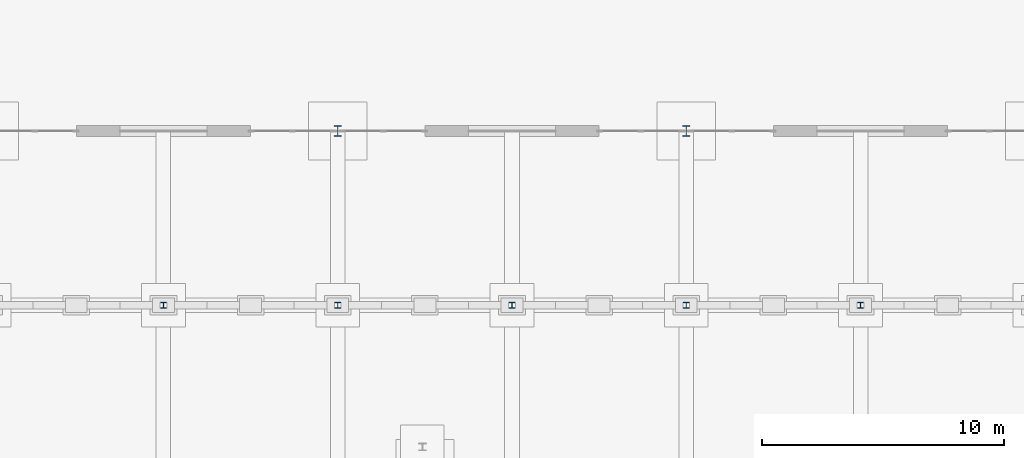
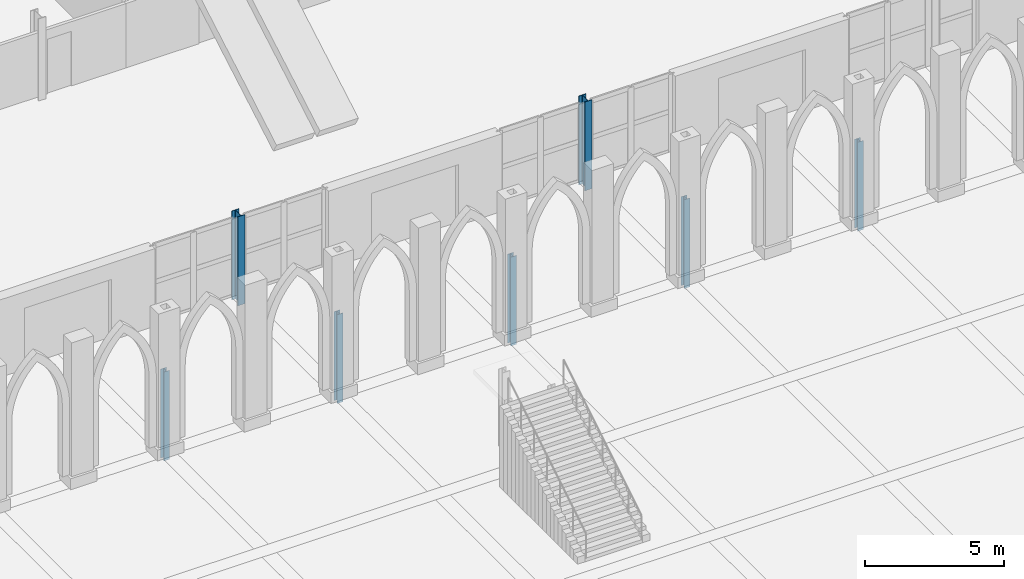
# One storey, part 39 of 148: 7 columns.
"""IFC4 building model written with IfcOpenShell, lengths in metres."""

from ifc_helpers import new_model, si_unit, direction, frame, origin, origin_2d, place, context, subcontext, project, spatial, i_section, extrude, material, material_profile, profile_set, type_object, element, save


model = new_model("IFC4")

# Units and contexts
model_context = context("Model", 3, precision=1e-05, world=origin(), true_north=direction((0.0, 1.0)))
body_context = subcontext(model_context, "Body", "Model", "MODEL_VIEW")
ifc_project = project(units=[si_unit("LENGTHUNIT", "METRE"), si_unit("AREAUNIT", "SQUARE_METRE"), si_unit("VOLUMEUNIT", "CUBIC_METRE"), si_unit("PLANEANGLEUNIT", "RADIAN"), si_unit("MASSUNIT", "GRAM", prefix="KILO")], contexts=[model_context])

# Site, building, storey
site_placement = place(None, origin())
site = spatial("IfcSite", under=ifc_project, at=site_placement, CompositionType="ELEMENT")
building_placement = place(site_placement, origin())
building = spatial("IfcBuilding", under=site, at=building_placement, Name="Kupolbacken Congress Centre", CompositionType="ELEMENT")
storey_placement = place(building_placement, origin())
storey = spatial("IfcBuildingStorey", under=building, at=storey_placement, Name="L00", CompositionType="ELEMENT", Elevation=0.0)

# Columns
ifc_material_1 = material(Name="Steel S355", Category="steel")
ifc_material_profile_1 = material_profile(ifc_material_1, i_section(OverallWidth=0.300048828125, OverallDepth=0.449951171875, WebThickness=0.013916015625, FlangeThickness=0.02587890625, FilletRadius=0.027099609375, at=origin_2d()), Name="HEB 450")
ifc_profile_set_1 = profile_set([ifc_material_profile_1], Name="Steel S355")
column_type_1 = type_object("IfcColumnType", Name="C03 column HEB 450", PredefinedType="COLUMN", material=ifc_profile_set_1)
for number, where, z_axis, x_axis, name in (
    (1, (36.0, 28.800048828125, -0.300048828125), (0.0, 0.0, 1.0), (1.0, 0.0, 0.0), "S/col/C-F-6E/L00"),
    (2, (50.39990234375, 28.800048828125, -0.300048828125), (0.0, 0.0, 1.0), (1.0, 0.0, 0.0), "S/col/C-F-8E/L00"),
):
    element("IfcColumn", number, at=place(storey_placement, frame(where, z_axis=z_axis, x_axis=x_axis)), inside=storey, type_object=column_type_1, Name=name, PredefinedType="COLUMN", context=body_context, shape_type="SweptSolid", body=[
        extrude(i_section(OverallWidth=0.300048828125, OverallDepth=0.449951171875, WebThickness=0.013916015625, FlangeThickness=0.02587890625, FilletRadius=0.027099609375, at=origin_2d()), origin(), (0.0, 0.0, 1.0), 3.900146484375),
    ])
ifc_material_2 = material(Name="Steel S355", Category="steel")
ifc_material_profile_2 = material_profile(ifc_material_2, i_section(OverallWidth=0.239990234375, OverallDepth=0.22998046875, WebThickness=0.007568359375, FlangeThickness=0.011962890625, FilletRadius=0.02099609375, at=origin_2d()), Name="HEA 240")
ifc_profile_set_2 = profile_set([ifc_material_profile_2], Name="Steel S355")
column_type_2 = type_object("IfcColumnType", Name="C10 column HEA 240", PredefinedType="COLUMN", material=ifc_profile_set_2)
for number, where, z_axis, x_axis, name in (
    (3, (28.800048828125, 21.60009765625, -0.300048828125), (0.0, 0.0, 1.0), (1.0, 0.0, 0.0), "S/col/C-AR-5/L00"),
    (4, (36.0, 21.60009765625, -0.300048828125), (0.0, 0.0, 1.0), (1.0, 0.0, 0.0), "S/col/C-AR-6/L00"),
    (5, (43.199951171875, 21.60009765625, -0.300048828125), (0.0, 0.0, 1.0), (1.0, 0.0, 0.0), "S/col/C-AR-7/L00"),
    (6, (50.39990234375, 21.60009765625, -0.300048828125), (0.0, 0.0, 1.0), (1.0, 0.0, 0.0), "S/col/C-AR-8/L00"),
    (7, (57.60009765625, 21.60009765625, -0.300048828125), (0.0, 0.0, 1.0), (1.0, 0.0, 0.0), "S/col/C-AR-9/L00"),
):
    element("IfcColumn", number, at=place(storey_placement, frame(where, z_axis=z_axis, x_axis=x_axis)), inside=storey, type_object=column_type_2, Name=name, PredefinedType="COLUMN", context=body_context, shape_type="SweptSolid", body=[
        extrude(i_section(OverallWidth=0.239990234375, OverallDepth=0.22998046875, WebThickness=0.007568359375, FlangeThickness=0.011962890625, FilletRadius=0.02099609375, at=origin_2d()), origin(), (0.0, 0.0, 1.0), 3.900146484375),
    ])

save(model, "model.ifc")
